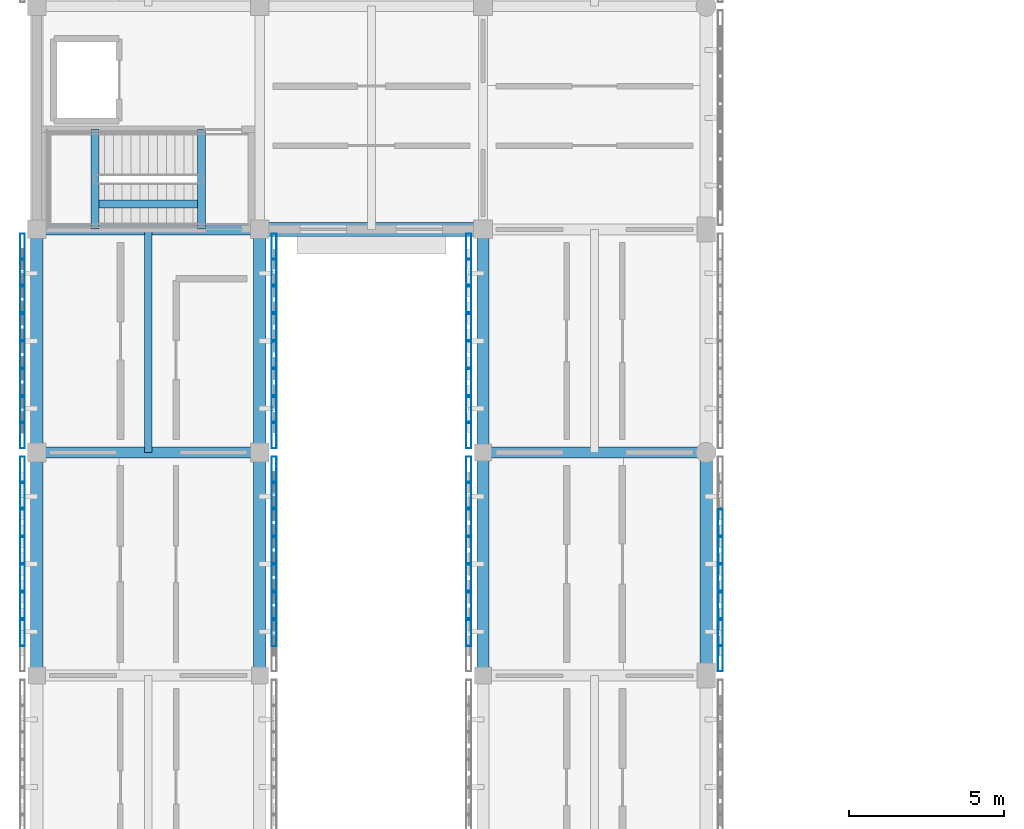
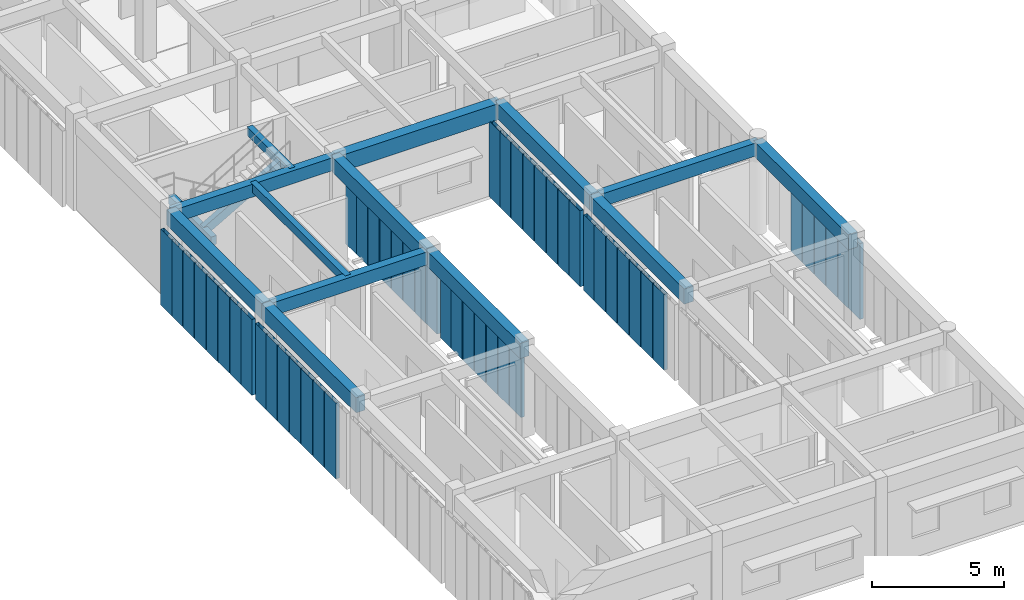
# One storey, part 8 of 171: 51 members, 15 beams, 7 elements without a shape of their own.
"""IFC4 building model written with IfcOpenShell, lengths in metres."""

from ifc_helpers import new_model, si_unit, direction, frame, origin, origin_2d, place, context, subcontext, project, spatial, rectangle, hollow_rectangle, extrude, material, material_profile, profile_set, type_object, element, aggregate, save


model = new_model("IFC4")

# Units and contexts
model_context = context("Model", 3, precision=1e-05, world=origin(), true_north=direction((0.0, 1.0)))
body_context = subcontext(model_context, "Body", "Model", "MODEL_VIEW")
ifc_project = project(units=[si_unit("LENGTHUNIT", "METRE"), si_unit("AREAUNIT", "SQUARE_METRE"), si_unit("VOLUMEUNIT", "CUBIC_METRE"), si_unit("PLANEANGLEUNIT", "RADIAN"), si_unit("MASSUNIT", "GRAM", prefix="KILO")], contexts=[model_context])

# Site, building, storey
site_placement = place(None, origin())
site = spatial("IfcSite", under=ifc_project, at=site_placement, CompositionType="ELEMENT")
building_placement = place(site_placement, origin())
building = spatial("IfcBuilding", under=site, at=building_placement, Name="Aldebral Square Health Centre", CompositionType="ELEMENT")
storey_placement = place(building_placement, frame((0.0, 0.0, 4.5)))
storey = spatial("IfcBuildingStorey", under=building, at=storey_placement, Name="L01", CompositionType="ELEMENT", Elevation=4.5)

# Beams
ifc_material_1 = material(Name="Concrete C40/50", Category="concrete")
ifc_material_profile_1 = material_profile(ifc_material_1, rectangle(XDim=0.35009765625, YDim=0.60009765625, at=origin_2d()), Name="RC 350x600")
ifc_profile_set_1 = profile_set([ifc_material_profile_1], Name="Concrete C40/50")
beam_type_1 = type_object("IfcBeamType", Name="BM-B2", PredefinedType="BEAM", material=ifc_profile_set_1)
for number, where, z_axis, x_axis, name in (
    (1, (0.0, 21.60009765625, 3.919921875), (1.0, 0.0, 0.0), (0.0, 1.0, 0.0), "L01 X-beam 1-2/G4"),
    (2, (0.0, 28.800048828125, 3.919921875), (1.0, 0.0, 0.0), (0.0, 1.0, 0.0), "L01 X-beam 1-2/G5"),
):
    element("IfcBeam", number, at=place(storey_placement, frame(where, z_axis=z_axis, x_axis=x_axis)), inside=storey, type_object=beam_type_1, Name=name, PredefinedType="BEAM", context=body_context, shape_type="SweptSolid", body=[
        extrude(rectangle(XDim=0.35009765625, YDim=0.60009765625, at=origin_2d()), origin(), (0.0, 0.0, 1.0), 7.199951171875),
    ])
beam_1_placement = place(storey_placement, frame((14.39990234375, 21.60009765625, 3.919921875), z_axis=(1.0, 0.0, 0.0), x_axis=(0.0, 1.0, 0.0)))
element("IfcBeam", 3, at=beam_1_placement, inside=storey, type_object=beam_type_1, Name="L01 X-beam 3-4/G4", PredefinedType="BEAM", context=body_context, shape_type="SweptSolid", body=[
    extrude(rectangle(XDim=0.35009765625, YDim=0.60009765625, at=origin_2d()), origin(), (0.0, 0.0, 1.0), 7.2001953125),
])
ifc_material_profile_2 = material_profile(ifc_material_1, rectangle(XDim=0.25, YDim=0.39990234375, at=origin_2d()), Name="RC 250x400")
ifc_profile_set_2 = profile_set([ifc_material_profile_2], Name="Concrete C40/50")
beam_type_2 = type_object("IfcBeamType", Name="BM-B6", PredefinedType="JOIST", material=ifc_profile_set_2)
beam_2_placement = place(storey_placement, frame((3.60009765625, 21.60009765625, 4.02001953125), z_axis=(0.0, 1.0, 0.0), x_axis=(-1.0, 0.0, 0.0)))
element("IfcBeam", 4, at=beam_2_placement, inside=storey, type_object=beam_type_2, Name="L01 secondary rib 1.4", PredefinedType="JOIST", context=body_context, shape_type="SweptSolid", body=[
    extrude(rectangle(XDim=0.25, YDim=0.39990234375, at=origin_2d()), origin(), (0.0, 0.0, 1.0), 7.199951171875),
])
for number, where, z_axis, x_axis, name in (
    (5, (1.8798828125, 28.81005859375, 2.050048828125), (0.0, 1.0, 0.0), (-1.0, 0.0, 0.0), "L01 WC-C5 half-landing beam"),
    (6, (5.320068359375, 28.81005859375, 4.02001953125), (0.0, 1.0, 0.0), (-1.0, 0.0, 0.0), "L01 WC-C5 upper landing beam"),
):
    element("IfcBeam", number, at=place(storey_placement, frame(where, z_axis=z_axis, x_axis=x_axis)), inside=storey, type_object=beam_type_2, Name=name, PredefinedType="JOIST", context=body_context, shape_type="SweptSolid", body=[
        extrude(rectangle(XDim=0.25, YDim=0.39990234375, at=origin_2d()), origin(), (0.0, 0.0, 1.0), 3.219970703125),
    ])
beam_3_placement = place(storey_placement, frame((1.8798828125, 29.6201171875, 2.050048828125), z_axis=(0.867791792995, 0.0, 0.496927966622), x_axis=(0.0, 1.0, 0.0)))
element("IfcBeam", 7, at=beam_3_placement, inside=storey, type_object=beam_type_2, Name="L01 WC-C5 flight stringer beam", PredefinedType="JOIST", context=body_context, shape_type="SweptSolid", body=[
    extrude(rectangle(XDim=0.25, YDim=0.39990234375, at=origin_2d()), origin(), (0.0, 0.0, 1.0), 3.96435546875),
])
ifc_material_profile_3 = material_profile(ifc_material_1, rectangle(XDim=0.449951171875, YDim=0.75, at=origin_2d()), Name="RC 450x750")
ifc_profile_set_3 = profile_set([ifc_material_profile_3], Name="Concrete C40/50")
beam_type_3 = type_object("IfcBeamType", Name="BM-G2", PredefinedType="T_BEAM", material=ifc_profile_set_3)
beam_4_placement = place(storey_placement, frame((7.199951171875, 28.800048828125, 3.844970703125), z_axis=(1.0, 0.0, 0.0), x_axis=(0.0, 1.0, 0.0)))
element("IfcBeam", 8, at=beam_4_placement, inside=storey, type_object=beam_type_3, Name="L01 X-beam 2-3/G5", PredefinedType="T_BEAM", context=body_context, shape_type="SweptSolid", body=[
    extrude(rectangle(XDim=0.449951171875, YDim=0.75, at=origin_2d()), origin(), (0.0, 0.0, 1.0), 7.199951171875),
])
ifc_material_profile_4 = material_profile(ifc_material_1, rectangle(XDim=0.39990234375, YDim=0.699951171875, at=origin_2d()), Name="RC 400x700")
ifc_profile_set_4 = profile_set([ifc_material_profile_4], Name="Concrete C40/50")
beam_type_4 = type_object("IfcBeamType", Name="BM-G3", PredefinedType="T_BEAM", material=ifc_profile_set_4)
beam_5_placement = place(storey_placement, frame((0.0, 14.39990234375, 3.8701171875), z_axis=(0.0, 1.0, 0.0), x_axis=(-1.0, 0.0, 0.0)))
element("IfcBeam", 9, at=beam_5_placement, inside=storey, type_object=beam_type_4, Name="L01 Y-beam G1/3-4", PredefinedType="T_BEAM", context=body_context, shape_type="SweptSolid", body=[
    extrude(rectangle(XDim=0.39990234375, YDim=0.699951171875, at=origin_2d()), origin(), (0.0, 0.0, 1.0), 7.2001953125),
])
beam_6_placement = place(storey_placement, frame((0.0, 21.60009765625, 3.8701171875), z_axis=(0.0, 1.0, 0.0), x_axis=(-1.0, 0.0, 0.0)))
element("IfcBeam", 10, at=beam_6_placement, inside=storey, type_object=beam_type_4, Name="L01 Y-beam G1/4-5", PredefinedType="T_BEAM", context=body_context, shape_type="SweptSolid", body=[
    extrude(rectangle(XDim=0.39990234375, YDim=0.699951171875, at=origin_2d()), origin(), (0.0, 0.0, 1.0), 7.199951171875),
])
beam_7_placement = place(storey_placement, frame((7.199951171875, 14.39990234375, 3.8701171875), z_axis=(0.0, 1.0, 0.0), x_axis=(-1.0, 0.0, 0.0)))
element("IfcBeam", 11, at=beam_7_placement, inside=storey, type_object=beam_type_4, Name="L01 Y-beam G2/3-4", PredefinedType="T_BEAM", context=body_context, shape_type="SweptSolid", body=[
    extrude(rectangle(XDim=0.39990234375, YDim=0.699951171875, at=origin_2d()), origin(), (0.0, 0.0, 1.0), 7.2001953125),
])
beam_8_placement = place(storey_placement, frame((7.199951171875, 21.60009765625, 3.8701171875), z_axis=(0.0, 1.0, 0.0), x_axis=(-1.0, 0.0, 0.0)))
element("IfcBeam", 12, at=beam_8_placement, inside=storey, type_object=beam_type_4, Name="L01 Y-beam G2/4-5", PredefinedType="T_BEAM", context=body_context, shape_type="SweptSolid", body=[
    extrude(rectangle(XDim=0.39990234375, YDim=0.699951171875, at=origin_2d()), origin(), (0.0, 0.0, 1.0), 7.199951171875),
])
beam_9_placement = place(storey_placement, frame((14.39990234375, 14.39990234375, 3.8701171875), z_axis=(0.0, 1.0, 0.0), x_axis=(-1.0, 0.0, 0.0)))
element("IfcBeam", 13, at=beam_9_placement, inside=storey, type_object=beam_type_4, Name="L01 Y-beam G3/3-4", PredefinedType="T_BEAM", context=body_context, shape_type="SweptSolid", body=[
    extrude(rectangle(XDim=0.39990234375, YDim=0.699951171875, at=origin_2d()), origin(), (0.0, 0.0, 1.0), 7.2001953125),
])
beam_10_placement = place(storey_placement, frame((14.39990234375, 21.60009765625, 3.8701171875), z_axis=(0.0, 1.0, 0.0), x_axis=(-1.0, 0.0, 0.0)))
element("IfcBeam", 14, at=beam_10_placement, inside=storey, type_object=beam_type_4, Name="L01 Y-beam G3/4-5", PredefinedType="T_BEAM", context=body_context, shape_type="SweptSolid", body=[
    extrude(rectangle(XDim=0.39990234375, YDim=0.699951171875, at=origin_2d()), origin(), (0.0, 0.0, 1.0), 7.199951171875),
])
beam_11_placement = place(storey_placement, frame((21.60009765625, 14.39990234375, 3.8701171875), z_axis=(0.0, 1.0, 0.0), x_axis=(-1.0, 0.0, 0.0)))
element("IfcBeam", 15, at=beam_11_placement, inside=storey, type_object=beam_type_4, Name="L01 Y-beam G4/3-4", PredefinedType="T_BEAM", context=body_context, shape_type="SweptSolid", body=[
    extrude(rectangle(XDim=0.39990234375, YDim=0.699951171875, at=origin_2d()), origin(), (0.0, 0.0, 1.0), 7.2001953125),
])

# Curtain wall, members
ifc_material_2 = material(Name="Aluminium and low-E solar glass", Category="aluminium")
curtain_wall_type = type_object("IfcCurtainWallType", Name="CW-FIN-SYS", PredefinedType="USERDEFINED", material=ifc_material_2)
curtain_wall_1_placement = place(storey_placement, origin())
curtain_wall_1 = element("IfcCurtainWall", 16, at=curtain_wall_1_placement, inside=storey, type_object=curtain_wall_type, Name="L01 V6 finned curtain wall L01-V6-00-02-W", ObjectType="SOLAR_CURTAIN_WALL", PredefinedType="USERDEFINED")
ifc_material_3 = material(Name="Sienna-terracotta clad aluminium fin", Category="masonry")
ifc_material_profile_5 = material_profile(ifc_material_3, hollow_rectangle(XDim=0.159912109375, YDim=0.85009765625, WallThickness=0.006103515625, at=origin_2d()), Name="FIN 160x850x6")
ifc_profile_set_5 = profile_set([ifc_material_profile_5], Name="Sienna-terracotta clad aluminium fin")
member_type = type_object("IfcMemberType", Name="CWM-FIN", PredefinedType="MULLION", material=ifc_profile_set_5)
member_1_placement = place(storey_placement, frame((-0.4599609375, 21.0400390625, 0.0), z_axis=(0.0, 0.0, 1.0), x_axis=(1.0, 0.0, 0.0)))
member_1 = element("IfcMember", 17, at=member_1_placement, type_object=member_type, Name="CW1 mullion 1", PredefinedType="MULLION", context=body_context, shape_type="SweptSolid", body=[
    extrude(hollow_rectangle(XDim=0.159912109375, YDim=0.85009765625, WallThickness=0.006103515625, at=origin_2d()), origin(), (0.0, 0.0, 1.0), 3.52001953125),
])
member_2_placement = place(storey_placement, frame((-0.4599609375, 20.228515625, 0.0), z_axis=(0.0, 0.0, 1.0), x_axis=(1.0, 0.0, 0.0)))
member_2 = element("IfcMember", 18, at=member_2_placement, type_object=member_type, Name="CW1 mullion 2", PredefinedType="MULLION", context=body_context, shape_type="SweptSolid", body=[
    extrude(hollow_rectangle(XDim=0.159912109375, YDim=0.85009765625, WallThickness=0.006103515625, at=origin_2d()), origin(), (0.0, 0.0, 1.0), 3.52001953125),
])
member_3_placement = place(storey_placement, frame((-0.4599609375, 19.337158203125, 0.0), z_axis=(0.0, 0.0, 1.0), x_axis=(1.0, 0.0, 0.0)))
member_3 = element("IfcMember", 19, at=member_3_placement, type_object=member_type, Name="CW1 mullion 3", PredefinedType="MULLION", context=body_context, shape_type="SweptSolid", body=[
    extrude(hollow_rectangle(XDim=0.159912109375, YDim=0.85009765625, WallThickness=0.006103515625, at=origin_2d()), origin(), (0.0, 0.0, 1.0), 3.52001953125),
])
member_4_placement = place(storey_placement, frame((-0.4599609375, 18.44580078125, 0.0), z_axis=(0.0, 0.0, 1.0), x_axis=(1.0, 0.0, 0.0)))
member_4 = element("IfcMember", 20, at=member_4_placement, type_object=member_type, Name="CW1 mullion 4", PredefinedType="MULLION", context=body_context, shape_type="SweptSolid", body=[
    extrude(hollow_rectangle(XDim=0.159912109375, YDim=0.85009765625, WallThickness=0.006103515625, at=origin_2d()), origin(), (0.0, 0.0, 1.0), 3.52001953125),
])
member_5_placement = place(storey_placement, frame((-0.4599609375, 17.55419921875, 0.0), z_axis=(0.0, 0.0, 1.0), x_axis=(1.0, 0.0, 0.0)))
member_5 = element("IfcMember", 21, at=member_5_placement, type_object=member_type, Name="CW1 mullion 5", PredefinedType="MULLION", context=body_context, shape_type="SweptSolid", body=[
    extrude(hollow_rectangle(XDim=0.159912109375, YDim=0.85009765625, WallThickness=0.006103515625, at=origin_2d()), origin(), (0.0, 0.0, 1.0), 3.52001953125),
])
member_6_placement = place(storey_placement, frame((-0.4599609375, 16.662841796875, 0.0), z_axis=(0.0, 0.0, 1.0), x_axis=(1.0, 0.0, 0.0)))
member_6 = element("IfcMember", 22, at=member_6_placement, type_object=member_type, Name="CW1 mullion 6", PredefinedType="MULLION", context=body_context, shape_type="SweptSolid", body=[
    extrude(hollow_rectangle(XDim=0.159912109375, YDim=0.85009765625, WallThickness=0.006103515625, at=origin_2d()), origin(), (0.0, 0.0, 1.0), 3.52001953125),
])
member_7_placement = place(storey_placement, frame((-0.4599609375, 15.771484375, 0.0), z_axis=(0.0, 0.0, 1.0), x_axis=(1.0, 0.0, 0.0)))
member_7 = element("IfcMember", 23, at=member_7_placement, type_object=member_type, Name="CW1 mullion 7", PredefinedType="MULLION", context=body_context, shape_type="SweptSolid", body=[
    extrude(hollow_rectangle(XDim=0.159912109375, YDim=0.85009765625, WallThickness=0.006103515625, at=origin_2d()), origin(), (0.0, 0.0, 1.0), 3.52001953125),
])
aggregate(curtain_wall_1, [member_1, member_2, member_3, member_4, member_5, member_6, member_7])

curtain_wall_2_placement = place(storey_placement, origin())
curtain_wall_2 = element("IfcCurtainWall", 24, at=curtain_wall_2_placement, inside=storey, type_object=curtain_wall_type, Name="L01 V6 finned curtain wall L01-V6-00-02-E", ObjectType="SOLAR_CURTAIN_WALL", PredefinedType="USERDEFINED")
member_8_placement = place(storey_placement, frame((7.659912109375, 15.771484375, 0.0), z_axis=(0.0, 0.0, 1.0), x_axis=(-1.0, 0.0, 0.0)))
member_8 = element("IfcMember", 25, at=member_8_placement, type_object=member_type, Name="CW1 mullion 2", PredefinedType="MULLION", context=body_context, shape_type="SweptSolid", body=[
    extrude(hollow_rectangle(XDim=0.159912109375, YDim=0.85009765625, WallThickness=0.006103515625, at=origin_2d()), origin(), (0.0, 0.0, 1.0), 3.52001953125),
])
member_9_placement = place(storey_placement, frame((7.659912109375, 16.662841796875, 0.0), z_axis=(0.0, 0.0, 1.0), x_axis=(-1.0, 0.0, 0.0)))
member_9 = element("IfcMember", 26, at=member_9_placement, type_object=member_type, Name="CW1 mullion 3", PredefinedType="MULLION", context=body_context, shape_type="SweptSolid", body=[
    extrude(hollow_rectangle(XDim=0.159912109375, YDim=0.85009765625, WallThickness=0.006103515625, at=origin_2d()), origin(), (0.0, 0.0, 1.0), 3.52001953125),
])
member_10_placement = place(storey_placement, frame((7.659912109375, 17.55419921875, 0.0), z_axis=(0.0, 0.0, 1.0), x_axis=(-1.0, 0.0, 0.0)))
member_10 = element("IfcMember", 27, at=member_10_placement, type_object=member_type, Name="CW1 mullion 4", PredefinedType="MULLION", context=body_context, shape_type="SweptSolid", body=[
    extrude(hollow_rectangle(XDim=0.159912109375, YDim=0.85009765625, WallThickness=0.006103515625, at=origin_2d()), origin(), (0.0, 0.0, 1.0), 3.52001953125),
])
member_11_placement = place(storey_placement, frame((7.659912109375, 18.44580078125, 0.0), z_axis=(0.0, 0.0, 1.0), x_axis=(-1.0, 0.0, 0.0)))
member_11 = element("IfcMember", 28, at=member_11_placement, type_object=member_type, Name="CW1 mullion 5", PredefinedType="MULLION", context=body_context, shape_type="SweptSolid", body=[
    extrude(hollow_rectangle(XDim=0.159912109375, YDim=0.85009765625, WallThickness=0.006103515625, at=origin_2d()), origin(), (0.0, 0.0, 1.0), 3.52001953125),
])
member_12_placement = place(storey_placement, frame((7.659912109375, 19.337158203125, 0.0), z_axis=(0.0, 0.0, 1.0), x_axis=(-1.0, 0.0, 0.0)))
member_12 = element("IfcMember", 29, at=member_12_placement, type_object=member_type, Name="CW1 mullion 6", PredefinedType="MULLION", context=body_context, shape_type="SweptSolid", body=[
    extrude(hollow_rectangle(XDim=0.159912109375, YDim=0.85009765625, WallThickness=0.006103515625, at=origin_2d()), origin(), (0.0, 0.0, 1.0), 3.52001953125),
])
member_13_placement = place(storey_placement, frame((7.659912109375, 20.228515625, 0.0), z_axis=(0.0, 0.0, 1.0), x_axis=(-1.0, 0.0, 0.0)))
member_13 = element("IfcMember", 30, at=member_13_placement, type_object=member_type, Name="CW1 mullion 7", PredefinedType="MULLION", context=body_context, shape_type="SweptSolid", body=[
    extrude(hollow_rectangle(XDim=0.159912109375, YDim=0.85009765625, WallThickness=0.006103515625, at=origin_2d()), origin(), (0.0, 0.0, 1.0), 3.52001953125),
])
member_14_placement = place(storey_placement, frame((7.659912109375, 21.0400390625, 0.0), z_axis=(0.0, 0.0, 1.0), x_axis=(-1.0, 0.0, 0.0)))
member_14 = element("IfcMember", 31, at=member_14_placement, type_object=member_type, Name="CW1 mullion 8", PredefinedType="MULLION", context=body_context, shape_type="SweptSolid", body=[
    extrude(hollow_rectangle(XDim=0.159912109375, YDim=0.85009765625, WallThickness=0.006103515625, at=origin_2d()), origin(), (0.0, 0.0, 1.0), 3.52001953125),
])
aggregate(curtain_wall_2, [member_8, member_9, member_10, member_11, member_12, member_13, member_14])

curtain_wall_3_placement = place(storey_placement, origin())
curtain_wall_3 = element("IfcCurtainWall", 32, at=curtain_wall_3_placement, inside=storey, type_object=curtain_wall_type, Name="L01 V6 finned curtain wall L01-V6-00-03-W", ObjectType="SOLAR_CURTAIN_WALL", PredefinedType="USERDEFINED")
member_15_placement = place(storey_placement, frame((-0.4599609375, 28.239990234375, 0.0), z_axis=(0.0, 0.0, 1.0), x_axis=(1.0, 0.0, 0.0)))
member_15 = element("IfcMember", 33, at=member_15_placement, type_object=member_type, Name="CW1 mullion 1", PredefinedType="MULLION", context=body_context, shape_type="SweptSolid", body=[
    extrude(hollow_rectangle(XDim=0.159912109375, YDim=0.85009765625, WallThickness=0.006103515625, at=origin_2d()), origin(), (0.0, 0.0, 1.0), 3.52001953125),
])
member_16_placement = place(storey_placement, frame((-0.4599609375, 27.428466796875, 0.0), z_axis=(0.0, 0.0, 1.0), x_axis=(1.0, 0.0, 0.0)))
member_16 = element("IfcMember", 34, at=member_16_placement, type_object=member_type, Name="CW1 mullion 2", PredefinedType="MULLION", context=body_context, shape_type="SweptSolid", body=[
    extrude(hollow_rectangle(XDim=0.159912109375, YDim=0.85009765625, WallThickness=0.006103515625, at=origin_2d()), origin(), (0.0, 0.0, 1.0), 3.52001953125),
])
member_17_placement = place(storey_placement, frame((-0.4599609375, 26.537109375, 0.0), z_axis=(0.0, 0.0, 1.0), x_axis=(1.0, 0.0, 0.0)))
member_17 = element("IfcMember", 35, at=member_17_placement, type_object=member_type, Name="CW1 mullion 3", PredefinedType="MULLION", context=body_context, shape_type="SweptSolid", body=[
    extrude(hollow_rectangle(XDim=0.159912109375, YDim=0.85009765625, WallThickness=0.006103515625, at=origin_2d()), origin(), (0.0, 0.0, 1.0), 3.52001953125),
])
member_18_placement = place(storey_placement, frame((-0.4599609375, 25.645751953125, 0.0), z_axis=(0.0, 0.0, 1.0), x_axis=(1.0, 0.0, 0.0)))
member_18 = element("IfcMember", 36, at=member_18_placement, type_object=member_type, Name="CW1 mullion 4", PredefinedType="MULLION", context=body_context, shape_type="SweptSolid", body=[
    extrude(hollow_rectangle(XDim=0.159912109375, YDim=0.85009765625, WallThickness=0.006103515625, at=origin_2d()), origin(), (0.0, 0.0, 1.0), 3.52001953125),
])
member_19_placement = place(storey_placement, frame((-0.4599609375, 24.75439453125, 0.0), z_axis=(0.0, 0.0, 1.0), x_axis=(1.0, 0.0, 0.0)))
member_19 = element("IfcMember", 37, at=member_19_placement, type_object=member_type, Name="CW1 mullion 5", PredefinedType="MULLION", context=body_context, shape_type="SweptSolid", body=[
    extrude(hollow_rectangle(XDim=0.159912109375, YDim=0.85009765625, WallThickness=0.006103515625, at=origin_2d()), origin(), (0.0, 0.0, 1.0), 3.52001953125),
])
member_20_placement = place(storey_placement, frame((-0.4599609375, 23.86279296875, 0.0), z_axis=(0.0, 0.0, 1.0), x_axis=(1.0, 0.0, 0.0)))
member_20 = element("IfcMember", 38, at=member_20_placement, type_object=member_type, Name="CW1 mullion 6", PredefinedType="MULLION", context=body_context, shape_type="SweptSolid", body=[
    extrude(hollow_rectangle(XDim=0.159912109375, YDim=0.85009765625, WallThickness=0.006103515625, at=origin_2d()), origin(), (0.0, 0.0, 1.0), 3.52001953125),
])
member_21_placement = place(storey_placement, frame((-0.4599609375, 22.971435546875, 0.0), z_axis=(0.0, 0.0, 1.0), x_axis=(1.0, 0.0, 0.0)))
member_21 = element("IfcMember", 39, at=member_21_placement, type_object=member_type, Name="CW1 mullion 7", PredefinedType="MULLION", context=body_context, shape_type="SweptSolid", body=[
    extrude(hollow_rectangle(XDim=0.159912109375, YDim=0.85009765625, WallThickness=0.006103515625, at=origin_2d()), origin(), (0.0, 0.0, 1.0), 3.52001953125),
])
member_22_placement = place(storey_placement, frame((-0.4599609375, 22.159912109375, 0.0), z_axis=(0.0, 0.0, 1.0), x_axis=(1.0, 0.0, 0.0)))
member_22 = element("IfcMember", 40, at=member_22_placement, type_object=member_type, Name="CW1 mullion 8", PredefinedType="MULLION", context=body_context, shape_type="SweptSolid", body=[
    extrude(hollow_rectangle(XDim=0.159912109375, YDim=0.85009765625, WallThickness=0.006103515625, at=origin_2d()), origin(), (0.0, 0.0, 1.0), 3.52001953125),
])
aggregate(curtain_wall_3, [member_15, member_16, member_17, member_18, member_19, member_20, member_21, member_22])

curtain_wall_4_placement = place(storey_placement, origin())
curtain_wall_4 = element("IfcCurtainWall", 41, at=curtain_wall_4_placement, inside=storey, type_object=curtain_wall_type, Name="L01 V6 finned curtain wall L01-V6-00-03-E", ObjectType="SOLAR_CURTAIN_WALL", PredefinedType="USERDEFINED")
member_23_placement = place(storey_placement, frame((7.659912109375, 22.159912109375, 0.0), z_axis=(0.0, 0.0, 1.0), x_axis=(-1.0, 0.0, 0.0)))
member_23 = element("IfcMember", 42, at=member_23_placement, type_object=member_type, Name="CW1 mullion 1", PredefinedType="MULLION", context=body_context, shape_type="SweptSolid", body=[
    extrude(hollow_rectangle(XDim=0.159912109375, YDim=0.85009765625, WallThickness=0.006103515625, at=origin_2d()), origin(), (0.0, 0.0, 1.0), 3.52001953125),
])
member_24_placement = place(storey_placement, frame((7.659912109375, 22.971435546875, 0.0), z_axis=(0.0, 0.0, 1.0), x_axis=(-1.0, 0.0, 0.0)))
member_24 = element("IfcMember", 43, at=member_24_placement, type_object=member_type, Name="CW1 mullion 2", PredefinedType="MULLION", context=body_context, shape_type="SweptSolid", body=[
    extrude(hollow_rectangle(XDim=0.159912109375, YDim=0.85009765625, WallThickness=0.006103515625, at=origin_2d()), origin(), (0.0, 0.0, 1.0), 3.52001953125),
])
member_25_placement = place(storey_placement, frame((7.659912109375, 23.86279296875, 0.0), z_axis=(0.0, 0.0, 1.0), x_axis=(-1.0, 0.0, 0.0)))
member_25 = element("IfcMember", 44, at=member_25_placement, type_object=member_type, Name="CW1 mullion 3", PredefinedType="MULLION", context=body_context, shape_type="SweptSolid", body=[
    extrude(hollow_rectangle(XDim=0.159912109375, YDim=0.85009765625, WallThickness=0.006103515625, at=origin_2d()), origin(), (0.0, 0.0, 1.0), 3.52001953125),
])
member_26_placement = place(storey_placement, frame((7.659912109375, 24.75439453125, 0.0), z_axis=(0.0, 0.0, 1.0), x_axis=(-1.0, 0.0, 0.0)))
member_26 = element("IfcMember", 45, at=member_26_placement, type_object=member_type, Name="CW1 mullion 4", PredefinedType="MULLION", context=body_context, shape_type="SweptSolid", body=[
    extrude(hollow_rectangle(XDim=0.159912109375, YDim=0.85009765625, WallThickness=0.006103515625, at=origin_2d()), origin(), (0.0, 0.0, 1.0), 3.52001953125),
])
member_27_placement = place(storey_placement, frame((7.659912109375, 25.645751953125, 0.0), z_axis=(0.0, 0.0, 1.0), x_axis=(-1.0, 0.0, 0.0)))
member_27 = element("IfcMember", 46, at=member_27_placement, type_object=member_type, Name="CW1 mullion 5", PredefinedType="MULLION", context=body_context, shape_type="SweptSolid", body=[
    extrude(hollow_rectangle(XDim=0.159912109375, YDim=0.85009765625, WallThickness=0.006103515625, at=origin_2d()), origin(), (0.0, 0.0, 1.0), 3.52001953125),
])
member_28_placement = place(storey_placement, frame((7.659912109375, 26.537109375, 0.0), z_axis=(0.0, 0.0, 1.0), x_axis=(-1.0, 0.0, 0.0)))
member_28 = element("IfcMember", 47, at=member_28_placement, type_object=member_type, Name="CW1 mullion 6", PredefinedType="MULLION", context=body_context, shape_type="SweptSolid", body=[
    extrude(hollow_rectangle(XDim=0.159912109375, YDim=0.85009765625, WallThickness=0.006103515625, at=origin_2d()), origin(), (0.0, 0.0, 1.0), 3.52001953125),
])
member_29_placement = place(storey_placement, frame((7.659912109375, 27.428466796875, 0.0), z_axis=(0.0, 0.0, 1.0), x_axis=(-1.0, 0.0, 0.0)))
member_29 = element("IfcMember", 48, at=member_29_placement, type_object=member_type, Name="CW1 mullion 7", PredefinedType="MULLION", context=body_context, shape_type="SweptSolid", body=[
    extrude(hollow_rectangle(XDim=0.159912109375, YDim=0.85009765625, WallThickness=0.006103515625, at=origin_2d()), origin(), (0.0, 0.0, 1.0), 3.52001953125),
])
member_30_placement = place(storey_placement, frame((7.659912109375, 28.239990234375, 0.0), z_axis=(0.0, 0.0, 1.0), x_axis=(-1.0, 0.0, 0.0)))
member_30 = element("IfcMember", 49, at=member_30_placement, type_object=member_type, Name="CW1 mullion 8", PredefinedType="MULLION", context=body_context, shape_type="SweptSolid", body=[
    extrude(hollow_rectangle(XDim=0.159912109375, YDim=0.85009765625, WallThickness=0.006103515625, at=origin_2d()), origin(), (0.0, 0.0, 1.0), 3.52001953125),
])
aggregate(curtain_wall_4, [member_23, member_24, member_25, member_26, member_27, member_28, member_29, member_30])

curtain_wall_5_placement = place(storey_placement, origin())
curtain_wall_5 = element("IfcCurtainWall", 50, at=curtain_wall_5_placement, inside=storey, type_object=curtain_wall_type, Name="L01 V6 finned curtain wall L01-V6-02-02-W", ObjectType="SOLAR_CURTAIN_WALL", PredefinedType="USERDEFINED")
member_31_placement = place(storey_placement, frame((13.93994140625, 21.0400390625, 0.0), z_axis=(0.0, 0.0, 1.0), x_axis=(1.0, 0.0, 0.0)))
member_31 = element("IfcMember", 51, at=member_31_placement, type_object=member_type, Name="CW1 mullion 1", PredefinedType="MULLION", context=body_context, shape_type="SweptSolid", body=[
    extrude(hollow_rectangle(XDim=0.159912109375, YDim=0.85009765625, WallThickness=0.006103515625, at=origin_2d()), origin(), (0.0, 0.0, 1.0), 3.52001953125),
])
member_32_placement = place(storey_placement, frame((13.93994140625, 20.228515625, 0.0), z_axis=(0.0, 0.0, 1.0), x_axis=(1.0, 0.0, 0.0)))
member_32 = element("IfcMember", 52, at=member_32_placement, type_object=member_type, Name="CW1 mullion 2", PredefinedType="MULLION", context=body_context, shape_type="SweptSolid", body=[
    extrude(hollow_rectangle(XDim=0.159912109375, YDim=0.85009765625, WallThickness=0.006103515625, at=origin_2d()), origin(), (0.0, 0.0, 1.0), 3.52001953125),
])
member_33_placement = place(storey_placement, frame((13.93994140625, 19.337158203125, 0.0), z_axis=(0.0, 0.0, 1.0), x_axis=(1.0, 0.0, 0.0)))
member_33 = element("IfcMember", 53, at=member_33_placement, type_object=member_type, Name="CW1 mullion 3", PredefinedType="MULLION", context=body_context, shape_type="SweptSolid", body=[
    extrude(hollow_rectangle(XDim=0.159912109375, YDim=0.85009765625, WallThickness=0.006103515625, at=origin_2d()), origin(), (0.0, 0.0, 1.0), 3.52001953125),
])
member_34_placement = place(storey_placement, frame((13.93994140625, 18.44580078125, 0.0), z_axis=(0.0, 0.0, 1.0), x_axis=(1.0, 0.0, 0.0)))
member_34 = element("IfcMember", 54, at=member_34_placement, type_object=member_type, Name="CW1 mullion 4", PredefinedType="MULLION", context=body_context, shape_type="SweptSolid", body=[
    extrude(hollow_rectangle(XDim=0.159912109375, YDim=0.85009765625, WallThickness=0.006103515625, at=origin_2d()), origin(), (0.0, 0.0, 1.0), 3.52001953125),
])
member_35_placement = place(storey_placement, frame((13.93994140625, 17.55419921875, 0.0), z_axis=(0.0, 0.0, 1.0), x_axis=(1.0, 0.0, 0.0)))
member_35 = element("IfcMember", 55, at=member_35_placement, type_object=member_type, Name="CW1 mullion 5", PredefinedType="MULLION", context=body_context, shape_type="SweptSolid", body=[
    extrude(hollow_rectangle(XDim=0.159912109375, YDim=0.85009765625, WallThickness=0.006103515625, at=origin_2d()), origin(), (0.0, 0.0, 1.0), 3.52001953125),
])
member_36_placement = place(storey_placement, frame((13.93994140625, 16.662841796875, 0.0), z_axis=(0.0, 0.0, 1.0), x_axis=(1.0, 0.0, 0.0)))
member_36 = element("IfcMember", 56, at=member_36_placement, type_object=member_type, Name="CW1 mullion 6", PredefinedType="MULLION", context=body_context, shape_type="SweptSolid", body=[
    extrude(hollow_rectangle(XDim=0.159912109375, YDim=0.85009765625, WallThickness=0.006103515625, at=origin_2d()), origin(), (0.0, 0.0, 1.0), 3.52001953125),
])
member_37_placement = place(storey_placement, frame((13.93994140625, 15.771484375, 0.0), z_axis=(0.0, 0.0, 1.0), x_axis=(1.0, 0.0, 0.0)))
member_37 = element("IfcMember", 57, at=member_37_placement, type_object=member_type, Name="CW1 mullion 7", PredefinedType="MULLION", context=body_context, shape_type="SweptSolid", body=[
    extrude(hollow_rectangle(XDim=0.159912109375, YDim=0.85009765625, WallThickness=0.006103515625, at=origin_2d()), origin(), (0.0, 0.0, 1.0), 3.52001953125),
])
aggregate(curtain_wall_5, [member_31, member_32, member_33, member_34, member_35, member_36, member_37])

curtain_wall_6_placement = place(storey_placement, origin())
curtain_wall_6 = element("IfcCurtainWall", 58, at=curtain_wall_6_placement, inside=storey, type_object=curtain_wall_type, Name="L01 V6 finned curtain wall L01-V6-02-02-E", ObjectType="SOLAR_CURTAIN_WALL", PredefinedType="USERDEFINED")
member_38_placement = place(storey_placement, frame((22.06005859375, 14.9599609375, 0.0), z_axis=(0.0, 0.0, 1.0), x_axis=(-1.0, 0.0, 0.0)))
member_38 = element("IfcMember", 59, at=member_38_placement, type_object=member_type, Name="CW1 mullion 1", PredefinedType="MULLION", context=body_context, shape_type="SweptSolid", body=[
    extrude(hollow_rectangle(XDim=0.159912109375, YDim=0.85009765625, WallThickness=0.006103515625, at=origin_2d()), origin(), (0.0, 0.0, 1.0), 3.52001953125),
])
member_39_placement = place(storey_placement, frame((22.06005859375, 15.771484375, 0.0), z_axis=(0.0, 0.0, 1.0), x_axis=(-1.0, 0.0, 0.0)))
member_39 = element("IfcMember", 60, at=member_39_placement, type_object=member_type, Name="CW1 mullion 2", PredefinedType="MULLION", context=body_context, shape_type="SweptSolid", body=[
    extrude(hollow_rectangle(XDim=0.159912109375, YDim=0.85009765625, WallThickness=0.006103515625, at=origin_2d()), origin(), (0.0, 0.0, 1.0), 3.52001953125),
])
member_40_placement = place(storey_placement, frame((22.06005859375, 16.662841796875, 0.0), z_axis=(0.0, 0.0, 1.0), x_axis=(-1.0, 0.0, 0.0)))
member_40 = element("IfcMember", 61, at=member_40_placement, type_object=member_type, Name="CW1 mullion 3", PredefinedType="MULLION", context=body_context, shape_type="SweptSolid", body=[
    extrude(hollow_rectangle(XDim=0.159912109375, YDim=0.85009765625, WallThickness=0.006103515625, at=origin_2d()), origin(), (0.0, 0.0, 1.0), 3.52001953125),
])
member_41_placement = place(storey_placement, frame((22.06005859375, 17.55419921875, 0.0), z_axis=(0.0, 0.0, 1.0), x_axis=(-1.0, 0.0, 0.0)))
member_41 = element("IfcMember", 62, at=member_41_placement, type_object=member_type, Name="CW1 mullion 4", PredefinedType="MULLION", context=body_context, shape_type="SweptSolid", body=[
    extrude(hollow_rectangle(XDim=0.159912109375, YDim=0.85009765625, WallThickness=0.006103515625, at=origin_2d()), origin(), (0.0, 0.0, 1.0), 3.52001953125),
])
member_42_placement = place(storey_placement, frame((22.06005859375, 18.44580078125, 0.0), z_axis=(0.0, 0.0, 1.0), x_axis=(-1.0, 0.0, 0.0)))
member_42 = element("IfcMember", 63, at=member_42_placement, type_object=member_type, Name="CW1 mullion 5", PredefinedType="MULLION", context=body_context, shape_type="SweptSolid", body=[
    extrude(hollow_rectangle(XDim=0.159912109375, YDim=0.85009765625, WallThickness=0.006103515625, at=origin_2d()), origin(), (0.0, 0.0, 1.0), 3.52001953125),
])
member_43_placement = place(storey_placement, frame((22.06005859375, 19.337158203125, 0.0), z_axis=(0.0, 0.0, 1.0), x_axis=(-1.0, 0.0, 0.0)))
member_43 = element("IfcMember", 64, at=member_43_placement, type_object=member_type, Name="CW1 mullion 6", PredefinedType="MULLION", context=body_context, shape_type="SweptSolid", body=[
    extrude(hollow_rectangle(XDim=0.159912109375, YDim=0.85009765625, WallThickness=0.006103515625, at=origin_2d()), origin(), (0.0, 0.0, 1.0), 3.52001953125),
])
aggregate(curtain_wall_6, [member_38, member_39, member_40, member_41, member_42, member_43])

curtain_wall_7_placement = place(storey_placement, origin())
curtain_wall_7 = element("IfcCurtainWall", 65, at=curtain_wall_7_placement, inside=storey, type_object=curtain_wall_type, Name="L01 V6 finned curtain wall L01-V6-02-03-W", ObjectType="SOLAR_CURTAIN_WALL", PredefinedType="USERDEFINED")
member_44_placement = place(storey_placement, frame((13.93994140625, 28.239990234375, 0.0), z_axis=(0.0, 0.0, 1.0), x_axis=(1.0, 0.0, 0.0)))
member_44 = element("IfcMember", 66, at=member_44_placement, type_object=member_type, Name="CW1 mullion 1", PredefinedType="MULLION", context=body_context, shape_type="SweptSolid", body=[
    extrude(hollow_rectangle(XDim=0.159912109375, YDim=0.85009765625, WallThickness=0.006103515625, at=origin_2d()), origin(), (0.0, 0.0, 1.0), 3.52001953125),
])
member_45_placement = place(storey_placement, frame((13.93994140625, 27.428466796875, 0.0), z_axis=(0.0, 0.0, 1.0), x_axis=(1.0, 0.0, 0.0)))
member_45 = element("IfcMember", 67, at=member_45_placement, type_object=member_type, Name="CW1 mullion 2", PredefinedType="MULLION", context=body_context, shape_type="SweptSolid", body=[
    extrude(hollow_rectangle(XDim=0.159912109375, YDim=0.85009765625, WallThickness=0.006103515625, at=origin_2d()), origin(), (0.0, 0.0, 1.0), 3.52001953125),
])
member_46_placement = place(storey_placement, frame((13.93994140625, 26.537109375, 0.0), z_axis=(0.0, 0.0, 1.0), x_axis=(1.0, 0.0, 0.0)))
member_46 = element("IfcMember", 68, at=member_46_placement, type_object=member_type, Name="CW1 mullion 3", PredefinedType="MULLION", context=body_context, shape_type="SweptSolid", body=[
    extrude(hollow_rectangle(XDim=0.159912109375, YDim=0.85009765625, WallThickness=0.006103515625, at=origin_2d()), origin(), (0.0, 0.0, 1.0), 3.52001953125),
])
member_47_placement = place(storey_placement, frame((13.93994140625, 25.645751953125, 0.0), z_axis=(0.0, 0.0, 1.0), x_axis=(1.0, 0.0, 0.0)))
member_47 = element("IfcMember", 69, at=member_47_placement, type_object=member_type, Name="CW1 mullion 4", PredefinedType="MULLION", context=body_context, shape_type="SweptSolid", body=[
    extrude(hollow_rectangle(XDim=0.159912109375, YDim=0.85009765625, WallThickness=0.006103515625, at=origin_2d()), origin(), (0.0, 0.0, 1.0), 3.52001953125),
])
member_48_placement = place(storey_placement, frame((13.93994140625, 24.75439453125, 0.0), z_axis=(0.0, 0.0, 1.0), x_axis=(1.0, 0.0, 0.0)))
member_48 = element("IfcMember", 70, at=member_48_placement, type_object=member_type, Name="CW1 mullion 5", PredefinedType="MULLION", context=body_context, shape_type="SweptSolid", body=[
    extrude(hollow_rectangle(XDim=0.159912109375, YDim=0.85009765625, WallThickness=0.006103515625, at=origin_2d()), origin(), (0.0, 0.0, 1.0), 3.52001953125),
])
member_49_placement = place(storey_placement, frame((13.93994140625, 23.86279296875, 0.0), z_axis=(0.0, 0.0, 1.0), x_axis=(1.0, 0.0, 0.0)))
member_49 = element("IfcMember", 71, at=member_49_placement, type_object=member_type, Name="CW1 mullion 6", PredefinedType="MULLION", context=body_context, shape_type="SweptSolid", body=[
    extrude(hollow_rectangle(XDim=0.159912109375, YDim=0.85009765625, WallThickness=0.006103515625, at=origin_2d()), origin(), (0.0, 0.0, 1.0), 3.52001953125),
])
member_50_placement = place(storey_placement, frame((13.93994140625, 22.971435546875, 0.0), z_axis=(0.0, 0.0, 1.0), x_axis=(1.0, 0.0, 0.0)))
member_50 = element("IfcMember", 72, at=member_50_placement, type_object=member_type, Name="CW1 mullion 7", PredefinedType="MULLION", context=body_context, shape_type="SweptSolid", body=[
    extrude(hollow_rectangle(XDim=0.159912109375, YDim=0.85009765625, WallThickness=0.006103515625, at=origin_2d()), origin(), (0.0, 0.0, 1.0), 3.52001953125),
])
member_51_placement = place(storey_placement, frame((13.93994140625, 22.159912109375, 0.0), z_axis=(0.0, 0.0, 1.0), x_axis=(1.0, 0.0, 0.0)))
member_51 = element("IfcMember", 73, at=member_51_placement, type_object=member_type, Name="CW1 mullion 8", PredefinedType="MULLION", context=body_context, shape_type="SweptSolid", body=[
    extrude(hollow_rectangle(XDim=0.159912109375, YDim=0.85009765625, WallThickness=0.006103515625, at=origin_2d()), origin(), (0.0, 0.0, 1.0), 3.52001953125),
])
aggregate(curtain_wall_7, [member_44, member_45, member_46, member_47, member_48, member_49, member_50, member_51])

save(model, "model.ifc")
